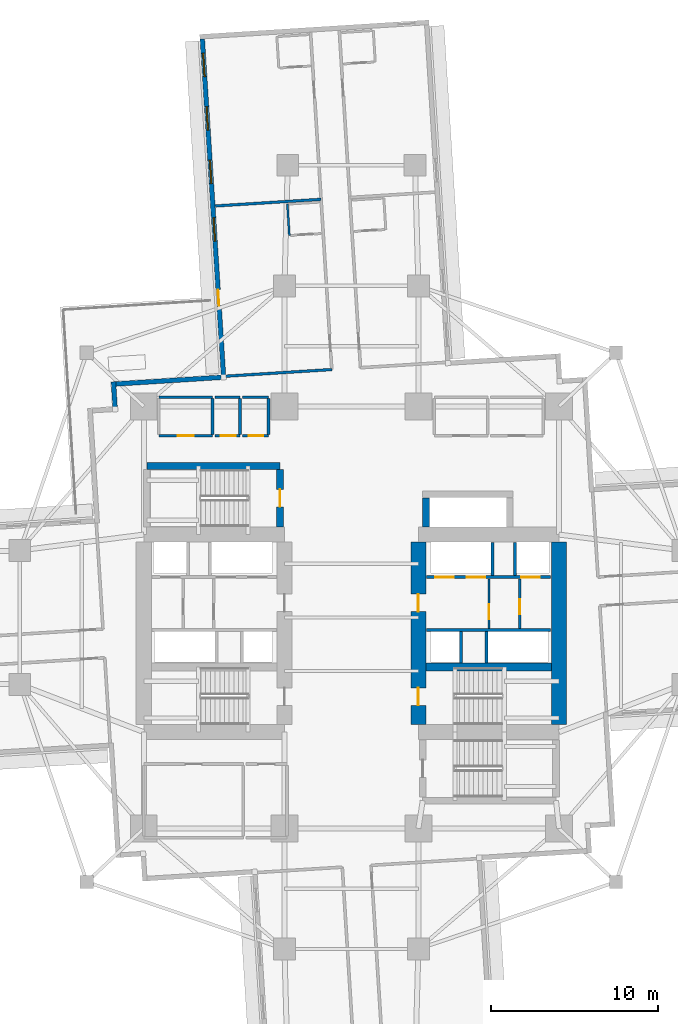
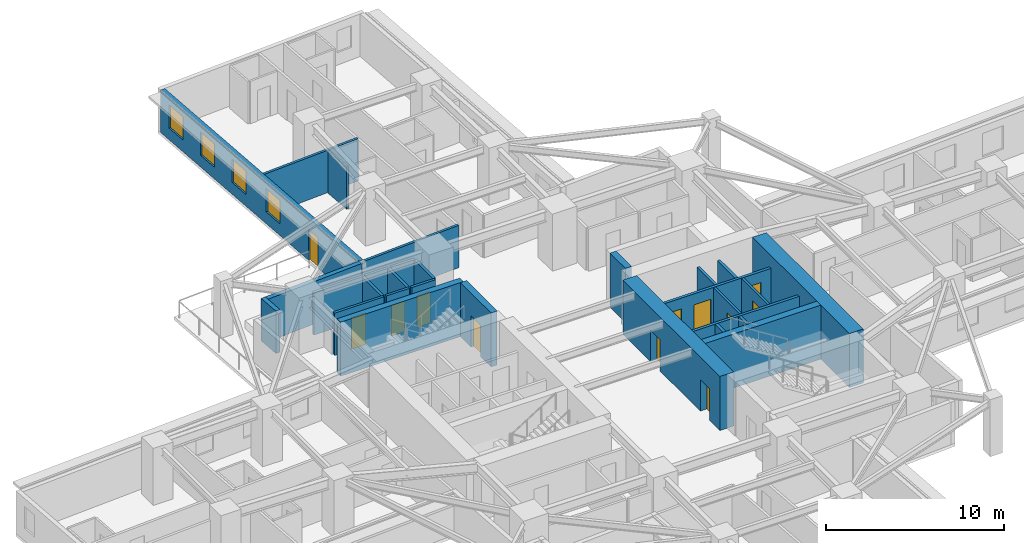
# One storey, part 6 of 14: 29 walls, 12 doors, 4 windows, 16 openings.
"""IFC4 building model written with IfcOpenShell, lengths in metres."""

from ifc_helpers import new_model, si_unit, direction, frame, frame_2d, origin, place, context, subcontext, project, spatial, rectangle, extrude, material, layer, layer_set, type_object, element, fill, save


model = new_model("IFC4")

# Units and contexts
model_context = context("Model", 3, precision=1e-05, world=origin(), true_north=direction((0.0, 1.0)))
body_context = subcontext(model_context, "Body", "Model", "MODEL_VIEW")
ifc_project = project(units=[si_unit("LENGTHUNIT", "METRE"), si_unit("AREAUNIT", "SQUARE_METRE"), si_unit("VOLUMEUNIT", "CUBIC_METRE"), si_unit("PLANEANGLEUNIT", "RADIAN"), si_unit("MASSUNIT", "GRAM", prefix="KILO")], contexts=[model_context])

# Site, building, storey
site_placement = place(None, origin())
site = spatial("IfcSite", under=ifc_project, at=site_placement, CompositionType="ELEMENT")
building_placement = place(site_placement, origin())
building = spatial("IfcBuilding", under=site, at=building_placement, Name="Qingluan Cross Belvedere", CompositionType="ELEMENT")
storey_placement = place(building_placement, frame((0.0, 0.0, 39.300048828125)))
storey = spatial("IfcBuildingStorey", under=building, at=storey_placement, Name="L10", CompositionType="ELEMENT", Elevation=39.300048828125)

# Walls
ifc_material_1 = material(Name="Concrete C50", Category="concrete")
ifc_layer_1 = layer(ifc_material_1, 0.449951171875, Name="CoreShearWall_450")
ifc_layer_set_1 = layer_set([ifc_layer_1], Name="Concrete C50")
wall_type_1 = type_object("IfcWallType", Name="CoreShearWall_450", PredefinedType="SHEAR", material=ifc_layer_set_1)
wall_1_placement = place(storey_placement, frame((4.455078125, -2.9599609375, 0.0), z_axis=(0.0, 0.0, 1.0), x_axis=(1.0, 0.0, 0.0)))
element("IfcWall", 1, at=wall_1_placement, inside=storey, type_object=wall_type_1, Name="Split core E shear wall L10-M", PredefinedType="SHEAR", context=body_context, shape_type="SweptSolid", body=[
    extrude(rectangle(XDim=7.489990234375, YDim=0.449951171875, at=frame_2d((3.7451171875, 0.0))), origin(), (0.0, 0.0, 1.0), 3.699951171875),
])
wall_2_placement = place(storey_placement, frame((-12.219970703125, 9.0400390625, 0.0), z_axis=(0.0, 0.0, 1.0), x_axis=(1.0, 0.0, 0.0)))
element("IfcWall", 2, at=wall_2_placement, inside=storey, type_object=wall_type_1, Name="Stair ST3 structural wall N L10", PredefinedType="SHEAR", context=body_context, shape_type="SweptSolid", body=[
    extrude(rectangle(XDim=7.9599609375, YDim=0.39990234375, at=frame_2d((3.97998046875, 0.0))), origin(), (0.0, 0.0, 1.0), 3.699951171875),
])

# Wall, opening, door
wall_3_placement = place(storey_placement, frame((-4.260009765625, 5.405029296875, 0.0), z_axis=(0.0, 0.0, 1.0), x_axis=(0.0, 1.0, 0.0)))
wall_3 = element("IfcWall", 3, at=wall_3_placement, inside=storey, type_object=wall_type_1, Name="Stair ST3 structural wall E L10", PredefinedType="SHEAR", context=body_context, shape_type="SweptSolid", body=[
    extrude(rectangle(XDim=3.429931640625, YDim=0.39990234375, at=frame_2d((1.71484375, 0.0))), origin(), (0.0, 0.0, 1.0), 3.699951171875),
])
opening_1_placement = place(wall_3_placement, frame((1.195068359375, 0.0, 0.0)))
opening_1 = element("IfcOpeningElement", 4, at=opening_1_placement, cuts=wall_3, Name="Opening FD-B11", PredefinedType="OPENING", context=body_context, shape_type="SweptSolid", body=[
    extrude(rectangle(XDim=1.050048828125, YDim=2.14990234375, at=frame_2d((0.52490234375, 1.074951171875))), frame((0.0, 0.2099609375, 0.0), z_axis=(0.0, -1.0, 0.0), x_axis=(1.0, 0.0, 0.0)), (0.0, 0.0, 1.0), 0.419921875),
])
ifc_material_2 = material(Name="Steel Class B smoke-seal fire door", Category="steel")
door_type_1 = type_object("IfcDoorType", Name="StairLobbyFireDoor_FDB", OperationType="NOTDEFINED", PredefinedType="DOOR", material=ifc_material_2)
door_1_placement = place(opening_1_placement, origin())
door_1 = element("IfcDoor", 5, at=door_1_placement, inside=storey, type_object=door_type_1, Name="Smoke-proof stair ST3 fire door L10", OperationType="SINGLE_SWING_RIGHT", OverallHeight=2.14990234375, OverallWidth=1.050048828125, PredefinedType="DOOR", context=body_context, shape_type="SweptSolid", body=[
    extrude(rectangle(XDim=1.050048828125, YDim=2.14990234375, at=frame_2d((0.52490234375, 1.074951171875))), frame((0.0, 0.02490234375, 0.0), z_axis=(0.0, -1.0, 0.0), x_axis=(1.0, 0.0, 0.0)), (0.0, 0.0, 1.0), 0.050048828125),
])
fill(opening_1, door_1)

# Wall
wall_4_placement = place(storey_placement, frame((4.449951171875, 5.405029296875, 0.0), z_axis=(0.0, 0.0, 1.0), x_axis=(0.0, 1.0, 0.0)))
element("IfcWall", 6, at=wall_4_placement, inside=storey, type_object=wall_type_1, Name="Express shuttle core wall L10-W", PredefinedType="SHEAR", context=body_context, shape_type="SweptSolid", body=[
    extrude(rectangle(XDim=1.73486328125, YDim=0.39990234375, at=frame_2d((0.867431640625, 0.0))), origin(), (0.0, 0.0, 1.0), 3.699951171875),
])

# Wall, openings, doors
ifc_material_3 = material(Name="Concrete C70", Category="concrete")
ifc_layer_2 = layer(ifc_material_3, 0.89990234375, Name="CoreShearWall_900")
ifc_layer_set_2 = layer_set([ifc_layer_2], Name="Concrete C70")
wall_type_2 = type_object("IfcWallType", Name="CoreShearWall_900", PredefinedType="SHEAR", material=ifc_layer_set_2)
wall_5_placement = place(storey_placement, frame((4.0, -6.39501953125, 0.0), z_axis=(0.0, 0.0, 1.0), x_axis=(0.0, 1.0, 0.0)))
wall_5 = element("IfcWall", 7, at=wall_5_placement, inside=storey, type_object=wall_type_2, Name="Split core E shear wall L10-W", PredefinedType="SHEAR", context=body_context, shape_type="SweptSolid", body=[
    extrude(rectangle(XDim=10.89013671875, YDim=0.89990234375, at=frame_2d((5.445068359375, 0.0))), origin(), (0.0, 0.0, 1.0), 3.699951171875),
])
opening_2_placement = place(wall_5_placement, frame((1.14501953125, 0.0, 0.0)))
opening_2 = element("IfcOpeningElement", 8, at=opening_2_placement, cuts=wall_5, Name="Opening FD-B11", PredefinedType="OPENING", context=body_context, shape_type="SweptSolid", body=[
    extrude(rectangle(XDim=1.050048828125, YDim=2.14990234375, at=frame_2d((0.52490234375, 1.074951171875))), frame((0.0, 0.4599609375, 0.0), z_axis=(0.0, -1.0, 0.0), x_axis=(1.0, 0.0, 0.0)), (0.0, 0.0, 1.0), 0.919921875),
])
opening_3_placement = place(wall_5_placement, frame((6.7451171875, 0.0, 0.0)))
opening_3 = element("IfcOpeningElement", 9, at=opening_3_placement, cuts=wall_5, Name="Opening FD-B11", PredefinedType="OPENING", context=body_context, shape_type="SweptSolid", body=[
    extrude(rectangle(XDim=1.050048828125, YDim=2.14990234375, at=frame_2d((0.52490234375, 1.074951171875))), frame((0.0, 0.4599609375, 0.0), z_axis=(0.0, -1.0, 0.0), x_axis=(1.0, 0.0, 0.0)), (0.0, 0.0, 1.0), 0.919921875),
])
door_2_placement = place(opening_2_placement, origin())
door_2 = element("IfcDoor", 10, at=door_2_placement, inside=storey, type_object=door_type_1, Name="Smoke-proof stair ST2 fire door L10", OperationType="SINGLE_SWING_LEFT", OverallHeight=2.14990234375, OverallWidth=1.050048828125, PredefinedType="DOOR", context=body_context, shape_type="SweptSolid", body=[
    extrude(rectangle(XDim=1.050048828125, YDim=2.14990234375, at=frame_2d((0.52490234375, 1.074951171875))), frame((0.0, 0.02490234375, 0.0), z_axis=(0.0, -1.0, 0.0), x_axis=(1.0, 0.0, 0.0)), (0.0, 0.0, 1.0), 0.050048828125),
])
fill(opening_2, door_2)
door_3_placement = place(opening_3_placement, origin())
door_3 = element("IfcDoor", 11, at=door_3_placement, inside=storey, type_object=door_type_1, Name="Firefighting lobby East fire door L10", OperationType="SINGLE_SWING_LEFT", OverallHeight=2.14990234375, OverallWidth=1.050048828125, PredefinedType="DOOR", context=body_context, shape_type="SweptSolid", body=[
    extrude(rectangle(XDim=1.050048828125, YDim=2.14990234375, at=frame_2d((0.52490234375, 1.074951171875))), frame((0.0, 0.02490234375, 0.0), z_axis=(0.0, -1.0, 0.0), x_axis=(1.0, 0.0, 0.0)), (0.0, 0.0, 1.0), 0.050048828125),
])
fill(opening_3, door_3)

# Wall
wall_6_placement = place(storey_placement, frame((12.39990234375, -6.39501953125, 0.0), z_axis=(0.0, 0.0, 1.0), x_axis=(0.0, 1.0, 0.0)))
element("IfcWall", 12, at=wall_6_placement, inside=storey, type_object=wall_type_2, Name="Split core E shear wall L10-E", PredefinedType="SHEAR", context=body_context, shape_type="SweptSolid", body=[
    extrude(rectangle(XDim=10.89013671875, YDim=0.89990234375, at=frame_2d((5.445068359375, 0.0))), origin(), (0.0, 0.0, 1.0), 3.699951171875),
])

# Wall, opening, door
ifc_material_4 = material(Name="Gypsum plasterboard on steel stud acoustic partition", Category="steel")
ifc_layer_3 = layer(ifc_material_4, 0.159912109375, Name="CorridorPartition_160")
ifc_layer_set_3 = layer_set([ifc_layer_3], Name="Gypsum plasterboard on steel stud acoustic partition")
wall_type_3 = type_object("IfcWallType", Name="CorridorPartition_160", PredefinedType="PARTITIONING", material=ifc_layer_set_3)
wall_7_placement = place(storey_placement, frame((10.050048828125, -0.652099609375, 0.0), z_axis=(0.0, 0.0, 1.0), x_axis=(0.0, 1.0, 0.0)))
wall_7 = element("IfcWall", 13, at=wall_7_placement, inside=storey, type_object=wall_type_3, Name="Partition L10:ev", PredefinedType="PARTITIONING", context=body_context, shape_type="SweptSolid", body=[
    extrude(rectangle(XDim=2.962158203125, YDim=0.139892578125, at=frame_2d((1.48095703125, 0.0))), origin(), (0.0, 0.0, 1.0), 2.89990234375),
])
opening_4_placement = place(wall_7_placement, frame((0.85009765625, 0.0, 0.0)))
opening_4 = element("IfcOpeningElement", 14, at=opening_4_placement, cuts=wall_7, Name="Opening FD-B10", PredefinedType="OPENING", context=body_context, shape_type="SweptSolid", body=[
    extrude(rectangle(XDim=0.8798828125, YDim=2.10009765625, at=frame_2d((0.43994140625, 1.050048828125))), frame((0.0, 0.079833984375, 0.0), z_axis=(0.0, -1.0, 0.0), x_axis=(1.0, 0.0, 0.0)), (0.0, 0.0, 1.0), 0.159912109375),
])
ifc_material_5 = material(Name="Steel Class B service fire door", Category="steel")
door_type_2 = type_object("IfcDoorType", Name="RiserServiceFireDoor_FDB", OperationType="NOTDEFINED", PredefinedType="DOOR", material=ifc_material_5)
door_4_placement = place(opening_4_placement, origin())
door_4 = element("IfcDoor", 15, at=door_4_placement, inside=storey, type_object=door_type_2, Name="Service closet inner door L10", OperationType="SINGLE_SWING_LEFT", OverallHeight=2.10009765625, OverallWidth=0.8798828125, PredefinedType="DOOR", context=body_context, shape_type="SweptSolid", body=[
    extrude(rectangle(XDim=0.8798828125, YDim=2.10009765625, at=frame_2d((0.43994140625, 1.050048828125))), frame((0.0, 0.02490234375, 0.0), z_axis=(0.0, -1.0, 0.0), x_axis=(1.0, 0.0, 0.0)), (0.0, 0.0, 1.0), 0.050048828125),
])
fill(opening_4, door_4)

wall_8_placement = place(storey_placement, frame((-11.5, 10.85009765625, 0.0), z_axis=(0.0, 0.0, 1.0), x_axis=(1.0, 0.0, 0.0)))
wall_8 = element("IfcWall", 16, at=wall_8_placement, inside=storey, type_object=wall_type_3, Name="Partition L10:q_nw_occ:S", PredefinedType="PARTITIONING", context=body_context, shape_type="SweptSolid", body=[
    extrude(rectangle(XDim=3.199951171875, YDim=0.159912109375, at=frame_2d((1.60009765625, 0.0))), origin(), (0.0, 0.0, 1.0), 2.89990234375),
])
opening_5_placement = place(wall_8_placement, frame((1.1201171875, 0.0, 0.0)))
opening_5 = element("IfcOpeningElement", 17, at=opening_5_placement, cuts=wall_8, Name="Opening GD-10", PredefinedType="OPENING", context=body_context, shape_type="SweptSolid", body=[
    extrude(rectangle(XDim=0.9599609375, YDim=2.14990234375, at=frame_2d((0.47998046875, 1.074951171875))), frame((0.0, 0.08984375, 0.0), z_axis=(0.0, -1.0, 0.0), x_axis=(1.0, 0.0, 0.0)), (0.0, 0.0, 1.0), 0.179931640625),
])
ifc_material_6 = material(Name="Timber oak fire-rated acoustic guestroom door", Category="wood")
door_type_3 = type_object("IfcDoorType", Name="GuestEntryDoor_FD60", OperationType="NOTDEFINED", PredefinedType="DOOR", material=ifc_material_6)
door_5_placement = place(opening_5_placement, origin())
door_5 = element("IfcDoor", 18, at=door_5_placement, inside=storey, type_object=door_type_3, Name="Northwest corner reading salon L10 door", OperationType="SINGLE_SWING_RIGHT", OverallHeight=2.14990234375, OverallWidth=0.9599609375, PredefinedType="DOOR", context=body_context, shape_type="SweptSolid", body=[
    extrude(rectangle(XDim=0.9599609375, YDim=2.14990234375, at=frame_2d((0.47998046875, 1.074951171875))), frame((0.0, 0.02490234375, 0.0), z_axis=(0.0, -1.0, 0.0), x_axis=(1.0, 0.0, 0.0)), (0.0, 0.0, 1.0), 0.050048828125),
])
fill(opening_5, door_5)

# Walls
wall_9_placement = place(storey_placement, frame((-11.5, 13.14990234375, 0.0), z_axis=(0.0, 0.0, 1.0), x_axis=(1.0, 0.0, 0.0)))
element("IfcWall", 19, at=wall_9_placement, inside=storey, type_object=wall_type_3, Name="Partition L10:q_nw_occ:N", PredefinedType="PARTITIONING", context=body_context, shape_type="SweptSolid", body=[
    extrude(rectangle(XDim=3.199951171875, YDim=0.159912109375, at=frame_2d((1.60009765625, 0.0))), origin(), (0.0, 0.0, 1.0), 2.89990234375),
])
wall_10_placement = place(storey_placement, frame((-8.300048828125, 10.93505859375, 0.0), z_axis=(0.0, 0.0, 1.0), x_axis=(0.0, 1.0, 0.0)))
element("IfcWall", 20, at=wall_10_placement, inside=storey, type_object=wall_type_3, Name="Partition L10:q_nw_occ:E", PredefinedType="PARTITIONING", context=body_context, shape_type="SweptSolid", body=[
    extrude(rectangle(XDim=2.1298828125, YDim=0.159912109375, at=frame_2d((1.06494140625, 0.0))), origin(), (0.0, 0.0, 1.0), 2.89990234375),
])

# Wall, opening, door
wall_11_placement = place(storey_placement, frame((-8.139892578125, 10.85009765625, 0.0), z_axis=(0.0, 0.0, 1.0), x_axis=(1.0, 0.0, 0.0)))
wall_11 = element("IfcWall", 21, at=wall_11_placement, inside=storey, type_object=wall_type_3, Name="Partition L10:hk_linen:S", PredefinedType="PARTITIONING", context=body_context, shape_type="SweptSolid", body=[
    extrude(rectangle(XDim=1.489990234375, YDim=0.159912109375, at=frame_2d((0.7451171875, 0.0))), origin(), (0.0, 0.0, 1.0), 2.89990234375),
])
opening_6_placement = place(wall_11_placement, frame((0.35009765625, 0.0, 0.0)))
opening_6 = element("IfcOpeningElement", 22, at=opening_6_placement, cuts=wall_11, Name="Opening FD-B10", PredefinedType="OPENING", context=body_context, shape_type="SweptSolid", body=[
    extrude(rectangle(XDim=0.8798828125, YDim=2.10009765625, at=frame_2d((0.43994140625, 1.050048828125))), frame((0.0, 0.08984375, 0.0), z_axis=(0.0, -1.0, 0.0), x_axis=(1.0, 0.0, 0.0)), (0.0, 0.0, 1.0), 0.179931640625),
])
door_6_placement = place(opening_6_placement, origin())
door_6 = element("IfcDoor", 23, at=door_6_placement, inside=storey, type_object=door_type_2, Name="Housekeeping and linen store L10 door", OperationType="SINGLE_SWING_LEFT", OverallHeight=2.10009765625, OverallWidth=0.8798828125, PredefinedType="DOOR", context=body_context, shape_type="SweptSolid", body=[
    extrude(rectangle(XDim=0.8798828125, YDim=2.10009765625, at=frame_2d((0.43994140625, 1.050048828125))), frame((0.0, 0.02490234375, 0.0), z_axis=(0.0, -1.0, 0.0), x_axis=(1.0, 0.0, 0.0)), (0.0, 0.0, 1.0), 0.050048828125),
])
fill(opening_6, door_6)

# Walls
wall_12_placement = place(storey_placement, frame((-8.139892578125, 13.14990234375, 0.0), z_axis=(0.0, 0.0, 1.0), x_axis=(1.0, 0.0, 0.0)))
element("IfcWall", 24, at=wall_12_placement, inside=storey, type_object=wall_type_3, Name="Partition L10:hk_linen:N", PredefinedType="PARTITIONING", context=body_context, shape_type="SweptSolid", body=[
    extrude(rectangle(XDim=1.489990234375, YDim=0.159912109375, at=frame_2d((0.7451171875, 0.0))), origin(), (0.0, 0.0, 1.0), 2.89990234375),
])
wall_13_placement = place(storey_placement, frame((-6.64990234375, 10.93505859375, 0.0), z_axis=(0.0, 0.0, 1.0), x_axis=(0.0, 1.0, 0.0)))
element("IfcWall", 25, at=wall_13_placement, inside=storey, type_object=wall_type_3, Name="Partition L10:hk_linen:E", PredefinedType="PARTITIONING", context=body_context, shape_type="SweptSolid", body=[
    extrude(rectangle(XDim=2.1298828125, YDim=0.159912109375, at=frame_2d((1.06494140625, 0.0))), origin(), (0.0, 0.0, 1.0), 2.89990234375),
])

# Wall, opening, door
wall_14_placement = place(storey_placement, frame((-6.489990234375, 10.85009765625, 0.0), z_axis=(0.0, 0.0, 1.0), x_axis=(1.0, 0.0, 0.0)))
wall_14 = element("IfcWall", 26, at=wall_14_placement, inside=storey, type_object=wall_type_3, Name="Partition L10:floor_acc_wc:S", PredefinedType="PARTITIONING", context=body_context, shape_type="SweptSolid", body=[
    extrude(rectangle(XDim=1.5400390625, YDim=0.159912109375, at=frame_2d((0.77001953125, 0.0))), origin(), (0.0, 0.0, 1.0), 2.89990234375),
])
opening_7_placement = place(wall_14_placement, frame((0.35009765625, 0.0, 0.0)))
opening_7 = element("IfcOpeningElement", 27, at=opening_7_placement, cuts=wall_14, Name="Opening BD-08", PredefinedType="OPENING", context=body_context, shape_type="SweptSolid", body=[
    extrude(rectangle(XDim=0.8798828125, YDim=2.14990234375, at=frame_2d((0.43994140625, 1.074951171875))), frame((0.0, 0.08984375, 0.0), z_axis=(0.0, -1.0, 0.0), x_axis=(1.0, 0.0, 0.0)), (0.0, 0.0, 1.0), 0.179931640625),
])
ifc_material_7 = material(Name="Moisture-sealed timber accessible WC door", Category="wood")
door_type_4 = type_object("IfcDoorType", Name="AccessibleWCDoor_880", OperationType="NOTDEFINED", PredefinedType="DOOR", material=ifc_material_7)
door_7_placement = place(opening_7_placement, origin())
door_7 = element("IfcDoor", 28, at=door_7_placement, inside=storey, type_object=door_type_4, Name="Accessible guest washroom L10 door", OperationType="SINGLE_SWING_RIGHT", OverallHeight=2.14990234375, OverallWidth=0.8798828125, PredefinedType="DOOR", context=body_context, shape_type="SweptSolid", body=[
    extrude(rectangle(XDim=0.8798828125, YDim=2.14990234375, at=frame_2d((0.43994140625, 1.074951171875))), frame((0.0, 0.02490234375, 0.0), z_axis=(0.0, -1.0, 0.0), x_axis=(1.0, 0.0, 0.0)), (0.0, 0.0, 1.0), 0.050048828125),
])
fill(opening_7, door_7)

# Walls
wall_15_placement = place(storey_placement, frame((-6.489990234375, 13.14990234375, 0.0), z_axis=(0.0, 0.0, 1.0), x_axis=(1.0, 0.0, 0.0)))
element("IfcWall", 29, at=wall_15_placement, inside=storey, type_object=wall_type_3, Name="Partition L10:floor_acc_wc:N", PredefinedType="PARTITIONING", context=body_context, shape_type="SweptSolid", body=[
    extrude(rectangle(XDim=1.5400390625, YDim=0.159912109375, at=frame_2d((0.77001953125, 0.0))), origin(), (0.0, 0.0, 1.0), 2.89990234375),
])
wall_16_placement = place(storey_placement, frame((-4.949951171875, 10.93505859375, 0.0), z_axis=(0.0, 0.0, 1.0), x_axis=(0.0, 1.0, 0.0)))
element("IfcWall", 30, at=wall_16_placement, inside=storey, type_object=wall_type_3, Name="Partition L10:floor_acc_wc:E", PredefinedType="PARTITIONING", context=body_context, shape_type="SweptSolid", body=[
    extrude(rectangle(XDim=2.1298828125, YDim=0.159912109375, at=frame_2d((1.06494140625, 0.0))), origin(), (0.0, 0.0, 1.0), 2.89990234375),
])
wall_17_placement = place(storey_placement, frame((-1.172119140625, 14.8056640625, 0.0), z_axis=(0.0, 0.0, 1.0), x_axis=(-0.998025657815, -0.06280753413, 0.0)))
element("IfcWall", 31, at=wall_17_placement, inside=storey, type_object=wall_type_3, Name="Partition L10:N:s1", PredefinedType="PARTITIONING", context=body_context, shape_type="SweptSolid", body=[
    extrude(rectangle(XDim=6.479736328125, YDim=0.159912109375, at=frame_2d((3.23974609375, 0.0))), origin(), (0.0, 0.0, 1.0), 2.89990234375),
])
wall_18_placement = place(storey_placement, frame((-1.8115234375, 24.970458984375, 0.0), z_axis=(0.0, 0.0, 1.0), x_axis=(-0.998028047838, -0.062769544596, 0.0)))
element("IfcWall", 32, at=wall_18_placement, inside=storey, type_object=wall_type_3, Name="Partition L10:N:d1_0", PredefinedType="PARTITIONING", context=body_context, shape_type="SweptSolid", body=[
    extrude(rectangle(XDim=6.33203125, YDim=0.159912109375, at=frame_2d((3.166015625, 0.0))), origin(), (0.0, 0.0, 1.0), 2.89990234375),
])
ifc_material_8 = material(Name="Moisture-resistant gypsum board lining")
ifc_layer_4 = layer(ifc_material_8, 0.1201171875, Name="EnsuiteWetPartition_120")
ifc_layer_set_4 = layer_set([ifc_layer_4], Name="Moisture-resistant gypsum board lining")
wall_type_4 = type_object("IfcWallType", Name="EnsuiteWetPartition_120", PredefinedType="PARTITIONING", material=ifc_layer_set_4)
wall_19_placement = place(storey_placement, frame((-3.704345703125, 22.807373046875, 0.0), z_axis=(0.0, 0.0, 1.0), x_axis=(-0.062855297722, 0.998022650819, 0.0)))
element("IfcWall", 33, at=wall_19_placement, inside=storey, type_object=wall_type_4, Name="Partition L10:N:bc1_0", PredefinedType="PARTITIONING", context=body_context, shape_type="SweptSolid", body=[
    extrude(rectangle(XDim=1.8798828125, YDim=0.1201171875, at=frame_2d((0.93994140625, 0.0))), origin(), (0.0, 0.0, 1.0), 2.89990234375),
])

# Wall, openings, windows, door
ifc_material_9 = material(Name="Precast concrete C45", Category="concrete")
ifc_layer_5 = layer(ifc_material_9, 0.280029296875, Name="PrecastFacadeWall_280")
ifc_layer_set_5 = layer_set([ifc_layer_5], Name="Precast concrete C45")
wall_type_5 = type_object("IfcWallType", Name="PrecastFacadeWall_280", PredefinedType="STANDARD", material=ifc_layer_set_5)
wall_20_placement = place(storey_placement, frame((-8.906982421875, 34.548828125, 0.0), z_axis=(0.0, 0.0, 1.0), x_axis=(0.06279645424, -0.99802635503, 0.0)))
wall_20 = element("IfcWall", 34, at=wall_20_placement, inside=storey, type_object=wall_type_5, Name="Facade wall L10-NB", PredefinedType="STANDARD", context=body_context, shape_type="SweptSolid", body=[
    extrude(rectangle(XDim=20.099853515625, YDim=0.280029296875, at=frame_2d((10.0498046875, 0.0))), origin(), (0.0, 0.0, 1.0), 2.909912109375),
])
opening_8_placement = place(wall_20_placement, frame((0.85009765625, 0.0, 0.800048828125)))
opening_8 = element("IfcOpeningElement", 35, at=opening_8_placement, cuts=wall_20, Name="Opening W-01", PredefinedType="OPENING", context=body_context, shape_type="SweptSolid", body=[
    extrude(rectangle(XDim=1.39990234375, YDim=1.60009765625, at=frame_2d((0.699951171875, 0.800048828125))), frame((0.0, 0.14990234375, 0.0), z_axis=(0.0, -1.0, 0.0), x_axis=(1.0, 0.0, 0.0)), (0.0, 0.0, 1.0), 0.300048828125),
])
opening_9_placement = place(wall_20_placement, frame((4.050048828125, 0.0, 0.800048828125)))
opening_9 = element("IfcOpeningElement", 36, at=opening_9_placement, cuts=wall_20, Name="Opening W-01", PredefinedType="OPENING", context=body_context, shape_type="SweptSolid", body=[
    extrude(rectangle(XDim=1.39990234375, YDim=1.60009765625, at=frame_2d((0.699951171875, 0.800048828125))), frame((0.0, 0.14990234375, 0.0), z_axis=(0.0, -1.0, 0.0), x_axis=(1.0, 0.0, 0.0)), (0.0, 0.0, 1.0), 0.300048828125),
])
opening_10_placement = place(wall_20_placement, frame((7.25, 0.0, 0.800048828125)))
opening_10 = element("IfcOpeningElement", 37, at=opening_10_placement, cuts=wall_20, Name="Opening W-01", PredefinedType="OPENING", context=body_context, shape_type="SweptSolid", body=[
    extrude(rectangle(XDim=1.39990234375, YDim=1.60009765625, at=frame_2d((0.699951171875, 0.800048828125))), frame((0.0, 0.14990234375, 0.0), z_axis=(0.0, -1.0, 0.0), x_axis=(1.0, 0.0, 0.0)), (0.0, 0.0, 1.0), 0.300048828125),
])
opening_11_placement = place(wall_20_placement, frame((10.699951171875, 0.0, 0.800048828125)))
opening_11 = element("IfcOpeningElement", 38, at=opening_11_placement, cuts=wall_20, Name="Opening W-01", PredefinedType="OPENING", context=body_context, shape_type="SweptSolid", body=[
    extrude(rectangle(XDim=1.39990234375, YDim=1.60009765625, at=frame_2d((0.699951171875, 0.800048828125))), frame((0.0, 0.14990234375, 0.0), z_axis=(0.0, -1.0, 0.0), x_axis=(1.0, 0.0, 0.0)), (0.0, 0.0, 1.0), 0.300048828125),
])
opening_12_placement = place(wall_20_placement, frame((15.0, 0.0, 0.0)))
opening_12 = element("IfcOpeningElement", 39, at=opening_12_placement, cuts=wall_20, Name="Opening WD-10", PredefinedType="OPENING", context=body_context, shape_type="SweptSolid", body=[
    extrude(rectangle(XDim=0.9599609375, YDim=2.10009765625, at=frame_2d((0.47998046875, 1.050048828125))), frame((0.0, 0.14990234375, 0.0), z_axis=(0.0, -1.0, 0.0), x_axis=(1.0, 0.0, 0.0)), (0.0, 0.0, 1.0), 0.300048828125),
])
ifc_material_10 = material(Name="Thermally broken triple Low-E glass in aluminium frame", Category="aluminium")
window_type = type_object("IfcWindowType", Name="TriRibbonWin_1400x1600", PartitioningType="SINGLE_PANEL", PredefinedType="WINDOW", material=ifc_material_10)
window_1_placement = place(opening_8_placement, origin())
window_1 = element("IfcWindow", 40, at=window_1_placement, inside=storey, type_object=window_type, Name="Ribbon window L10-NB-1", OverallHeight=1.60009765625, OverallWidth=1.39990234375, PartitioningType="SINGLE_PANEL", PredefinedType="WINDOW", context=body_context, shape_type="SweptSolid", body=[
    extrude(rectangle(XDim=1.39990234375, YDim=1.60009765625, at=frame_2d((0.699951171875, 0.800048828125))), frame((0.0, 0.030029296875, 0.0), z_axis=(0.0, -1.0, 0.0), x_axis=(1.0, 0.0, 0.0)), (0.0, 0.0, 1.0), 0.06005859375),
])
fill(opening_8, window_1)
window_2_placement = place(opening_9_placement, origin())
window_2 = element("IfcWindow", 41, at=window_2_placement, inside=storey, type_object=window_type, Name="Ribbon window L10-NB-2", OverallHeight=1.60009765625, OverallWidth=1.39990234375, PartitioningType="SINGLE_PANEL", PredefinedType="WINDOW", context=body_context, shape_type="SweptSolid", body=[
    extrude(rectangle(XDim=1.39990234375, YDim=1.60009765625, at=frame_2d((0.699951171875, 0.800048828125))), frame((0.0, 0.030029296875, 0.0), z_axis=(0.0, -1.0, 0.0), x_axis=(1.0, 0.0, 0.0)), (0.0, 0.0, 1.0), 0.06005859375),
])
fill(opening_9, window_2)
window_3_placement = place(opening_10_placement, origin())
window_3 = element("IfcWindow", 42, at=window_3_placement, inside=storey, type_object=window_type, Name="Ribbon window L10-NB-3", OverallHeight=1.60009765625, OverallWidth=1.39990234375, PartitioningType="SINGLE_PANEL", PredefinedType="WINDOW", context=body_context, shape_type="SweptSolid", body=[
    extrude(rectangle(XDim=1.39990234375, YDim=1.60009765625, at=frame_2d((0.699951171875, 0.800048828125))), frame((0.0, 0.030029296875, 0.0), z_axis=(0.0, -1.0, 0.0), x_axis=(1.0, 0.0, 0.0)), (0.0, 0.0, 1.0), 0.06005859375),
])
fill(opening_10, window_3)
window_4_placement = place(opening_11_placement, origin())
window_4 = element("IfcWindow", 43, at=window_4_placement, inside=storey, type_object=window_type, Name="Ribbon window L10-NB-4", OverallHeight=1.60009765625, OverallWidth=1.39990234375, PartitioningType="SINGLE_PANEL", PredefinedType="WINDOW", context=body_context, shape_type="SweptSolid", body=[
    extrude(rectangle(XDim=1.39990234375, YDim=1.60009765625, at=frame_2d((0.699951171875, 0.800048828125))), frame((0.0, 0.030029296875, 0.0), z_axis=(0.0, -1.0, 0.0), x_axis=(1.0, 0.0, 0.0)), (0.0, 0.0, 1.0), 0.06005859375),
])
fill(opening_11, window_4)
ifc_material_11 = material(Name="Thermally broken aluminium and Low-E glass", Category="aluminium")
door_type_5 = type_object("IfcDoorType", Name="WinterGardenDoor_096", OperationType="NOTDEFINED", PredefinedType="DOOR", material=ifc_material_11)
door_8_placement = place(opening_12_placement, origin())
door_8 = element("IfcDoor", 44, at=door_8_placement, inside=storey, type_object=door_type_5, Name="Outdoor terrace access door L10-spi", OperationType="SINGLE_SWING_LEFT", OverallHeight=2.10009765625, OverallWidth=0.9599609375, PredefinedType="DOOR", context=body_context, shape_type="SweptSolid", body=[
    extrude(rectangle(XDim=0.9599609375, YDim=2.10009765625, at=frame_2d((0.47998046875, 1.050048828125))), frame((0.0, 0.02490234375, 0.0), z_axis=(0.0, -1.0, 0.0), x_axis=(1.0, 0.0, 0.0)), (0.0, 0.0, 1.0), 0.050048828125),
])
fill(opening_12, door_8)

# Walls
wall_21_placement = place(storey_placement, frame((-14.11767578125, 12.578369140625, 0.0), z_axis=(0.0, 0.0, 1.0), x_axis=(-0.062824119533, 0.998024613927, 0.0)))
element("IfcWall", 45, at=wall_21_placement, inside=storey, type_object=wall_type_5, Name="Corner wall L10-NW3", PredefinedType="STANDARD", context=body_context, shape_type="SweptSolid", body=[
    extrude(rectangle(XDim=1.5, YDim=0.280029296875, at=frame_2d((0.75, 0.0))), origin(), (0.0, 0.0, 1.0), 2.909912109375),
])
wall_22_placement = place(storey_placement, frame((-14.063232421875, 13.944580078125, 0.0), z_axis=(0.0, 0.0, 1.0), x_axis=(0.998027314704, 0.062781200242, 0.0)))
element("IfcWall", 46, at=wall_22_placement, inside=storey, type_object=wall_type_5, Name="Corner wall L10-NW4", PredefinedType="STANDARD", context=body_context, shape_type="SweptSolid", body=[
    extrude(rectangle(XDim=6.2998046875, YDim=0.280029296875, at=frame_2d((3.14990234375, 0.0))), origin(), (0.0, 0.0, 1.0), 2.909912109375),
])

# Wall, openings, doors
ifc_material_12 = material(Name="Concrete C40", Category="concrete")
ifc_layer_6 = layer(ifc_material_12, 0.219970703125, Name="ShaftEnclosureWall_250")
ifc_layer_set_6 = layer_set([ifc_layer_6], Name="Concrete C40")
wall_type_6 = type_object("IfcWallType", Name="ShaftEnclosureWall_250", PredefinedType="SOLIDWALL", material=ifc_layer_set_6)
wall_23_placement = place(storey_placement, frame((4.47998046875, 2.409912109375, 0.0), z_axis=(0.0, 0.0, 1.0), x_axis=(1.0, 0.0, 0.0)))
wall_23 = element("IfcWall", 47, at=wall_23_placement, inside=storey, type_object=wall_type_6, Name="Core-E north hoistway wall L10", PredefinedType="SOLIDWALL", context=body_context, shape_type="SweptSolid", body=[
    extrude(rectangle(XDim=7.419921875, YDim=0.179931640625, at=frame_2d((3.7099609375, 0.0))), origin(), (0.0, 0.0, 1.0), 2.89990234375),
])
opening_13_placement = place(wall_23_placement, frame((5.669921875, 0.0, 0.0)))
opening_13 = element("IfcOpeningElement", 48, at=opening_13_placement, cuts=wall_23, Name="Opening LD-11", PredefinedType="OPENING", context=body_context, shape_type="SweptSolid", body=[
    extrude(rectangle(XDim=1.10009765625, YDim=2.14990234375, at=frame_2d((0.550048828125, 1.074951171875))), frame((0.0, 0.099853515625, 0.0), z_axis=(0.0, -1.0, 0.0), x_axis=(1.0, 0.0, 0.0)), (0.0, 0.0, 1.0), 0.199951171875),
])
opening_14_placement = place(wall_23_placement, frame((0.52001953125, 0.0, 0.0)))
opening_14 = element("IfcOpeningElement", 49, at=opening_14_placement, cuts=wall_23, Name="Opening LD-11", PredefinedType="OPENING", context=body_context, shape_type="SweptSolid", body=[
    extrude(rectangle(XDim=1.10009765625, YDim=2.14990234375, at=frame_2d((0.550048828125, 1.074951171875))), frame((0.0, 0.099853515625, 0.0), z_axis=(0.0, -1.0, 0.0), x_axis=(1.0, 0.0, 0.0)), (0.0, 0.0, 1.0), 0.199951171875),
])
opening_15_placement = place(wall_23_placement, frame((2.419921875, 0.0, 0.0)))
opening_15 = element("IfcOpeningElement", 50, at=opening_15_placement, cuts=wall_23, Name="Opening LD-11", PredefinedType="OPENING", context=body_context, shape_type="SweptSolid", body=[
    extrude(rectangle(XDim=1.10009765625, YDim=2.14990234375, at=frame_2d((0.550048828125, 1.074951171875))), frame((0.0, 0.099853515625, 0.0), z_axis=(0.0, -1.0, 0.0), x_axis=(1.0, 0.0, 0.0)), (0.0, 0.0, 1.0), 0.199951171875),
])
ifc_material_13 = material(Name="Brushed stainless steel centre-opening lift landing door", Category="steel")
door_type_6 = type_object("IfcDoorType", Name="LiftLandingSlidingDoor_1100", OperationType="DOUBLE_DOOR_SLIDING", PredefinedType="DOOR", material=ifc_material_13)
door_9_placement = place(opening_13_placement, origin())
door_9 = element("IfcDoor", 51, at=door_9_placement, inside=storey, type_object=door_type_6, Name="Lift landing sliding door FL2 L10", OperationType="DOUBLE_DOOR_SLIDING", OverallHeight=2.14990234375, OverallWidth=1.10009765625, PredefinedType="DOOR", context=body_context, shape_type="SweptSolid", body=[
    extrude(rectangle(XDim=1.10009765625, YDim=2.14990234375, at=frame_2d((0.550048828125, 1.074951171875))), frame((0.0, 0.02490234375, 0.0), z_axis=(0.0, -1.0, 0.0), x_axis=(1.0, 0.0, 0.0)), (0.0, 0.0, 1.0), 0.050048828125),
])
fill(opening_13, door_9)
door_10_placement = place(opening_14_placement, origin())
door_10 = element("IfcDoor", 52, at=door_10_placement, inside=storey, type_object=door_type_6, Name="Lift landing sliding door LP3 L10", OperationType="DOUBLE_DOOR_SLIDING", OverallHeight=2.14990234375, OverallWidth=1.10009765625, PredefinedType="DOOR", context=body_context, shape_type="SweptSolid", body=[
    extrude(rectangle(XDim=1.10009765625, YDim=2.14990234375, at=frame_2d((0.550048828125, 1.074951171875))), frame((0.0, 0.02490234375, 0.0), z_axis=(0.0, -1.0, 0.0), x_axis=(1.0, 0.0, 0.0)), (0.0, 0.0, 1.0), 0.050048828125),
])
fill(opening_14, door_10)
door_11_placement = place(opening_15_placement, origin())
door_11 = element("IfcDoor", 53, at=door_11_placement, inside=storey, type_object=door_type_6, Name="Lift landing sliding door LP4 L10", OperationType="DOUBLE_DOOR_SLIDING", OverallHeight=2.14990234375, OverallWidth=1.10009765625, PredefinedType="DOOR", context=body_context, shape_type="SweptSolid", body=[
    extrude(rectangle(XDim=1.10009765625, YDim=2.14990234375, at=frame_2d((0.550048828125, 1.074951171875))), frame((0.0, 0.02490234375, 0.0), z_axis=(0.0, -1.0, 0.0), x_axis=(1.0, 0.0, 0.0)), (0.0, 0.0, 1.0), 0.050048828125),
])
fill(opening_15, door_11)

# Walls
wall_24_placement = place(storey_placement, frame((4.47998046875, -0.75, 0.0), z_axis=(0.0, 0.0, 1.0), x_axis=(1.0, 0.0, 0.0)))
element("IfcWall", 54, at=wall_24_placement, inside=storey, type_object=wall_type_6, Name="Core-E mid hoistway wall L10", PredefinedType="SOLIDWALL", context=body_context, shape_type="SweptSolid", body=[
    extrude(rectangle(XDim=7.419921875, YDim=0.179931640625, at=frame_2d((3.7099609375, 0.0))), origin(), (0.0, 0.0, 1.0), 2.89990234375),
])
for number, where, z_axis, x_axis, name in (
    (55, (8.43994140625, 2.5, 0.0), (0.0, 0.0, 1.0), (0.0, 1.0, 0.0), "Hoistway enclosure divider LP4E L10"),
    (56, (9.760009765625, 2.5, 0.0), (0.0, 0.0, 1.0), (0.0, 1.0, 0.0), "Hoistway enclosure divider FL2W L10"),
):
    element("IfcWall", number, at=place(storey_placement, frame(where, z_axis=z_axis, x_axis=x_axis)), inside=storey, type_object=wall_type_6, Name=name, PredefinedType="SOLIDWALL", context=body_context, shape_type="SweptSolid", body=[
        extrude(rectangle(XDim=1.989990234375, YDim=0.179931640625, at=frame_2d((0.9951171875, 0.0))), origin(), (0.0, 0.0, 1.0), 2.89990234375),
    ])
for number, where, z_axis, x_axis, name in (
    (57, (6.5400390625, -2.72998046875, 0.0), (0.0, 0.0, 1.0), (0.0, 1.0, 0.0), "Hoistway enclosure divider LP7E L10"),
    (58, (8.06005859375, -2.72998046875, 0.0), (0.0, 0.0, 1.0), (0.0, 1.0, 0.0), "Hoistway enclosure divider LP9W L10"),
):
    element("IfcWall", number, at=place(storey_placement, frame(where, z_axis=z_axis, x_axis=x_axis)), inside=storey, type_object=wall_type_6, Name=name, PredefinedType="SOLIDWALL", context=body_context, shape_type="SweptSolid", body=[
        extrude(rectangle(XDim=1.889892578125, YDim=0.179931640625, at=frame_2d((0.94482421875, 0.0))), origin(), (0.0, 0.0, 1.0), 2.89990234375),
    ])

# Wall, opening, door
wall_25_placement = place(storey_placement, frame((8.219970703125, -0.64990234375, 0.0), z_axis=(0.0, 0.0, 1.0), x_axis=(0.0, 1.0, 0.0)))
wall_25 = element("IfcWall", 59, at=wall_25_placement, inside=storey, type_object=wall_type_6, Name="Core-E service corridor wall L10", PredefinedType="SOLIDWALL", context=body_context, shape_type="SweptSolid", body=[
    extrude(rectangle(XDim=2.9599609375, YDim=0.139892578125, at=frame_2d((1.47998046875, 0.0))), origin(), (0.0, 0.0, 1.0), 2.89990234375),
])
opening_16_placement = place(wall_25_placement, frame((0.550048828125, 0.0, 0.0)))
opening_16 = element("IfcOpeningElement", 60, at=opening_16_placement, cuts=wall_25, Name="Opening FD-B10", PredefinedType="OPENING", context=body_context, shape_type="SweptSolid", body=[
    extrude(rectangle(XDim=0.8798828125, YDim=2.10009765625, at=frame_2d((0.43994140625, 1.050048828125))), frame((0.0, 0.079833984375, 0.0), z_axis=(0.0, -1.0, 0.0), x_axis=(1.0, 0.0, 0.0)), (0.0, 0.0, 1.0), 0.159912109375),
])
door_12_placement = place(opening_16_placement, origin())
door_12 = element("IfcDoor", 61, at=door_12_placement, inside=storey, type_object=door_type_2, Name="Core-E service room door L10", OperationType="SINGLE_SWING_LEFT", OverallHeight=2.10009765625, OverallWidth=0.8798828125, PredefinedType="DOOR", context=body_context, shape_type="SweptSolid", body=[
    extrude(rectangle(XDim=0.8798828125, YDim=2.10009765625, at=frame_2d((0.43994140625, 1.050048828125))), frame((0.0, 0.02490234375, 0.0), z_axis=(0.0, -1.0, 0.0), x_axis=(1.0, 0.0, 0.0)), (0.0, 0.0, 1.0), 0.050048828125),
])
fill(opening_16, door_12)

save(model, "model.ifc")
